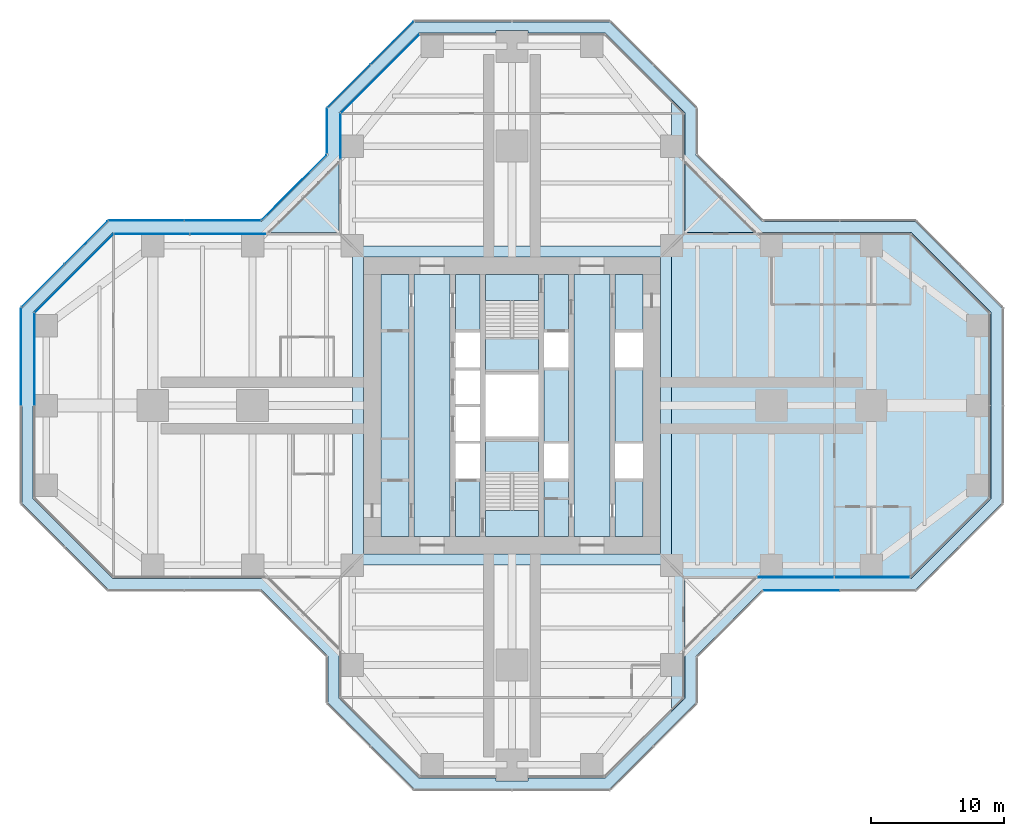
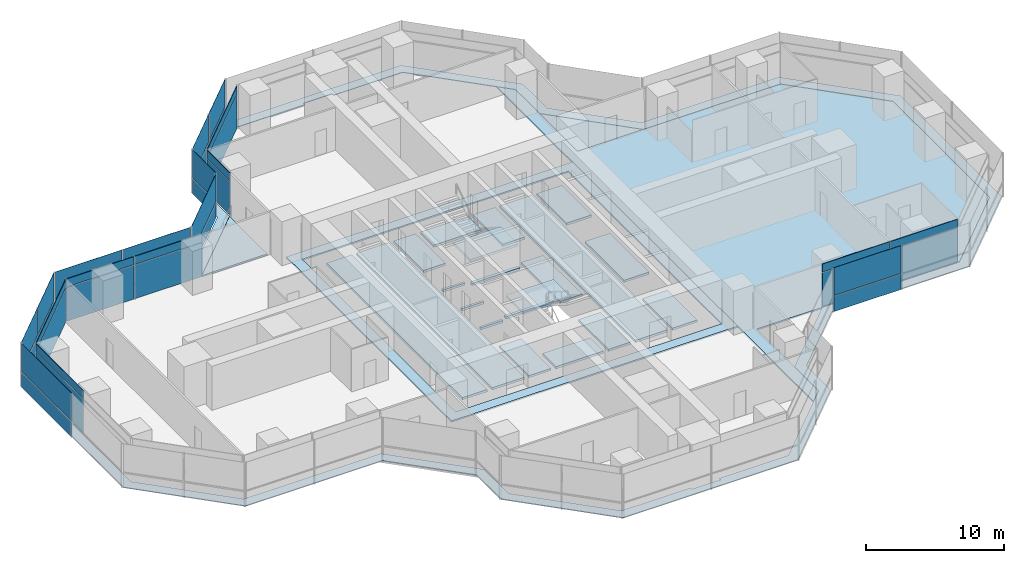
# One storey, part 13 of 19: 37 plates, 9 slabs, 15 elements without a shape of their own.
"""IFC4 building model written with IfcOpenShell, lengths in metres."""

from ifc_helpers import new_model, si_unit, direction, frame, origin, origin_2d, place, context, subcontext, project, spatial, polyline, rectangle, outline, extrude, material, layer, layer_set, type_object, element, aggregate, save


model = new_model("IFC4")

# Units and contexts
model_context = context("Model", 3, precision=1e-05, world=origin(), true_north=direction((0.0, 1.0)))
body_context = subcontext(model_context, "Body", "Model", "MODEL_VIEW")
ifc_project = project(units=[si_unit("LENGTHUNIT", "METRE"), si_unit("AREAUNIT", "SQUARE_METRE"), si_unit("VOLUMEUNIT", "CUBIC_METRE"), si_unit("PLANEANGLEUNIT", "RADIAN"), si_unit("MASSUNIT", "GRAM", prefix="KILO")], contexts=[model_context])

# Site, building, storey
site_placement = place(None, origin())
site = spatial("IfcSite", under=ifc_project, at=site_placement, CompositionType="ELEMENT")
building_placement = place(site_placement, origin())
building = spatial("IfcBuilding", under=site, at=building_placement, Name="Mizan Broadcast Tower", CompositionType="ELEMENT")
storey_placement = place(building_placement, frame((0.0, 0.0, 132.0)))
storey = spatial("IfcBuildingStorey", under=building, at=storey_placement, Name="L29", CompositionType="ELEMENT", Elevation=132.0)

# Plate
ifc_material_1 = material(Name="Aluminium grating", Category="aluminium")
ifc_layer_1 = layer(ifc_material_1, 0.050048828125)
ifc_layer_set_1 = layer_set([ifc_layer_1], Name="Aluminium grating")
plate_type_1 = type_object("IfcPlateType", Name="CAVITY GRATING", PredefinedType="USERDEFINED", material=ifc_layer_set_1)
plate_1_placement = place(storey_placement, frame((0.0, 0.0, -0.050048828125)))
element("IfcPlate", 1, at=plate_1_placement, inside=storey, type_object=plate_type_1, Name="Cavity grating L29", ObjectType="GRATING", PredefinedType="USERDEFINED", context=body_context, shape_type="SweptSolid", body=[
    extrude(outline(polyline([(13.820068359375, -18.839599609375), (18.839599609375, -13.820068359375), (30.339599609375, -13.820068359375), (36.820068359375, -7.339599609375), (36.820068359375, 7.339599609375), (30.339599609375, 13.820068359375), (18.839599609375, 13.820068359375), (13.820068359375, 18.839599609375), (13.820068359375, 22.339599609375), (7.339599609375, 28.820068359375), (-7.339599609375, 28.820068359375), (-13.820068359375, 22.339599609375), (-13.820068359375, 18.839599609375), (-18.839599609375, 13.820068359375), (-30.339599609375, 13.820068359375), (-36.820068359375, 7.339599609375), (-36.820068359375, -7.339599609375), (-30.339599609375, -13.820068359375), (-18.839599609375, -13.820068359375), (-13.820068359375, -18.839599609375), (-13.820068359375, -22.339599609375), (-7.339599609375, -28.820068359375), (7.339599609375, -28.820068359375), (13.820068359375, -22.339599609375), (13.820068359375, -18.839599609375)]), holes=[polyline([(36.0, 7.0), (36.0, -7.0), (30.0, -13.0), (18.5, -13.0), (13.0, -18.5), (13.0, -22.0), (7.0, -28.0), (1.199951171875, -28.0), (1.199951171875, -28.199951171875), (-1.199951171875, -28.199951171875), (-1.199951171875, -28.0), (-7.0, -28.0), (-13.0, -22.0), (-13.0, -18.5), (-18.5, -13.0), (-30.0, -13.0), (-36.0, -7.0), (-36.0, 7.0), (-30.0, 13.0), (-18.5, 13.0), (-13.0, 18.5), (-13.0, 22.0), (-7.0, 28.0), (-1.199951171875, 28.0), (-1.199951171875, 28.199951171875), (1.199951171875, 28.199951171875), (1.199951171875, 28.0), (7.0, 28.0), (13.0, 22.0), (13.0, 18.5), (18.5, 13.0), (30.0, 13.0), (36.0, 7.0)])]), origin(), (0.0, 0.0, 1.0), 0.050048828125),
])

# Slabs
ifc_material_2 = material(Name="Concrete C32/40", Category="concrete")
ifc_layer_2 = layer(ifc_material_2, 0.1298828125)
ifc_layer_set_2 = layer_set([ifc_layer_2], Name="Concrete C32/40")
slab_type_1 = type_object("IfcSlabType", Name="COMPOSITE DECK SLAB 130", PredefinedType="FLOOR", material=ifc_layer_set_2)
slab_1_placement = place(storey_placement, frame((0.0, 0.0, -0.1298828125)))
element("IfcSlab", 2, at=slab_1_placement, inside=storey, type_object=slab_type_1, Name="Floor slab L29 centre", PredefinedType="FLOOR", context=body_context, shape_type="SweptSolid", body=[
    extrude(outline(polyline([(-12.0, -12.0), (12.0, -12.0), (12.0, 12.0), (-12.0, 12.0), (-12.0, -12.0)]), holes=[polyline([(-11.14990234375, 11.14990234375), (11.14990234375, 11.14990234375), (11.14990234375, -11.14990234375), (-11.14990234375, -11.14990234375), (-11.14990234375, 11.14990234375)])]), origin(), (0.0, 0.0, 1.0), 0.1298828125),
])
slab_2_placement = place(storey_placement, frame((0.0, 0.0, -0.1298828125)))
element("IfcSlab", 3, at=slab_2_placement, inside=storey, type_object=slab_type_1, Name="Floor slab L29 east arm", PredefinedType="FLOOR", context=body_context, shape_type="SweptSolid", body=[
    extrude(outline(polyline([(12.0, -23.0), (13.0, -22.0), (13.0, -13.0), (30.0, -13.0), (36.0, -7.0), (36.0, 7.0), (30.0, 13.0), (13.0, 13.0), (13.0, 22.0), (12.0, 23.0), (12.0, -23.0)])), origin(), (0.0, 0.0, 1.0), 0.1298828125),
])
ifc_material_3 = material(Name="Concrete C40/50", Category="concrete")
ifc_layer_3 = layer(ifc_material_3, 0.199951171875)
ifc_layer_set_3 = layer_set([ifc_layer_3], Name="Concrete C40/50")
slab_type_2 = type_object("IfcSlabType", Name="CORE FLOOR 200", PredefinedType="FLOOR", material=ifc_layer_set_3)
slab_3_placement = place(storey_placement, frame((0.0, 0.0, -0.199951171875)))
element("IfcSlab", 4, at=slab_3_placement, inside=storey, type_object=slab_type_2, Name="Core floor L29", PredefinedType="FLOOR", context=body_context, shape_type="SweptSolid", body=[
    extrude(outline(polyline([(-9.85009765625, -9.85009765625), (-7.75, -9.85009765625), (-7.75, 9.85009765625), (-9.85009765625, 9.85009765625), (-9.85009765625, -9.85009765625)])), origin(), (0.0, 0.0, 1.0), 0.199951171875),
    extrude(outline(polyline([(-4.64990234375, 9.85009765625), (-7.35009765625, 9.85009765625), (-7.35009765625, -9.85009765625), (-4.64990234375, -9.85009765625), (-4.64990234375, 9.85009765625)])), origin(), (0.0, 0.0, 1.0), 0.199951171875),
    extrude(outline(polyline([(-4.25, -5.5), (-4.25, -9.85009765625), (-2.39990234375, -9.85009765625), (-2.39990234375, -5.5), (-4.25, -5.5)])), origin(), (0.0, 0.0, 1.0), 0.199951171875),
    extrude(outline(polyline([(-4.25, -2.85009765625), (-2.39990234375, -2.85009765625), (-2.39990234375, -2.64990234375), (-4.25, -2.64990234375), (-4.25, -2.85009765625)])), origin(), (0.0, 0.0, 1.0), 0.199951171875),
    extrude(outline(polyline([(-4.25, -0.10009765625), (-2.39990234375, -0.10009765625), (-2.39990234375, 0.10009765625), (-4.25, 0.10009765625), (-4.25, -0.10009765625)])), origin(), (0.0, 0.0, 1.0), 0.199951171875),
    extrude(outline(polyline([(-4.25, 2.64990234375), (-2.39990234375, 2.64990234375), (-2.39990234375, 2.85009765625), (-4.25, 2.85009765625), (-4.25, 2.64990234375)])), origin(), (0.0, 0.0, 1.0), 0.199951171875),
    extrude(outline(polyline([(-4.25, 5.5), (-2.39990234375, 5.5), (-2.39990234375, 9.85009765625), (-4.25, 9.85009765625), (-4.25, 5.5)])), origin(), (0.0, 0.0, 1.0), 0.199951171875),
    extrude(outline(polyline([(2.0, -2.324951171875), (-2.0, -2.324951171875), (-2.0, -2.574951171875), (2.0, -2.574951171875), (2.0, -2.324951171875)])), origin(), (0.0, 0.0, 1.0), 0.199951171875),
    extrude(outline(polyline([(2.0, 2.574951171875), (-2.0, 2.574951171875), (-2.0, 2.324951171875), (2.0, 2.324951171875), (2.0, 2.574951171875)])), origin(), (0.0, 0.0, 1.0), 0.199951171875),
    extrude(outline(polyline([(4.25, -9.85009765625), (4.25, -5.5), (2.39990234375, -5.5), (2.39990234375, -9.85009765625), (4.25, -9.85009765625)])), origin(), (0.0, 0.0, 1.0), 0.199951171875),
    extrude(outline(polyline([(4.25, -2.85009765625), (4.25, 2.85009765625), (2.39990234375, 2.85009765625), (2.39990234375, -2.85009765625), (4.25, -2.85009765625)])), origin(), (0.0, 0.0, 1.0), 0.199951171875),
    extrude(outline(polyline([(4.25, 5.5), (4.25, 9.85009765625), (2.39990234375, 9.85009765625), (2.39990234375, 5.5), (4.25, 5.5)])), origin(), (0.0, 0.0, 1.0), 0.199951171875),
    extrude(outline(polyline([(4.64990234375, 9.85009765625), (4.64990234375, -9.85009765625), (7.35009765625, -9.85009765625), (7.35009765625, 9.85009765625), (4.64990234375, 9.85009765625)])), origin(), (0.0, 0.0, 1.0), 0.199951171875),
    extrude(outline(polyline([(9.85009765625, -9.85009765625), (9.85009765625, -5.5), (7.75, -5.5), (7.75, -9.85009765625), (9.85009765625, -9.85009765625)])), origin(), (0.0, 0.0, 1.0), 0.199951171875),
    extrude(outline(polyline([(7.75, -2.85009765625), (9.85009765625, -2.85009765625), (9.85009765625, 2.85009765625), (7.75, 2.85009765625), (7.75, -2.85009765625)])), origin(), (0.0, 0.0, 1.0), 0.199951171875),
    extrude(outline(polyline([(9.85009765625, 5.5), (9.85009765625, 9.85009765625), (7.75, 9.85009765625), (7.75, 5.5), (9.85009765625, 5.5)])), origin(), (0.0, 0.0, 1.0), 0.199951171875),
])

# Curtain wall, plates
ifc_material_4 = material(Name="Aluminium framed glazing", Category="aluminium")
curtain_wall_type_1 = type_object("IfcCurtainWallType", Name="INNER SKIN MID ZONE", PredefinedType="USERDEFINED", material=ifc_material_4)
curtain_wall_1_placement = place(storey_placement, origin())
curtain_wall_1 = element("IfcCurtainWall", 5, at=curtain_wall_1_placement, inside=storey, type_object=curtain_wall_type_1, Name="Inner skin mid zone L29 E side", ObjectType="INNER SKIN MID ZONE", PredefinedType="USERDEFINED")
ifc_material_5 = material(Name="Double glazing, clear low-e", Category="glass")
ifc_layer_4 = layer(ifc_material_5, 0.028076171875)
ifc_layer_set_4 = layer_set([ifc_layer_4], Name="Double glazing, clear low-e")
plate_type_2 = type_object("IfcPlateType", Name="INNER SKIN GLAZING UNIT", PredefinedType="CURTAIN_PANEL", material=ifc_layer_set_4)
plate_2_placement = place(storey_placement, frame((21.379638671875, -12.89990234375, 0.0), z_axis=(0.0, 0.0, 1.0), x_axis=(1.0, 0.0, 0.0)))
plate_2 = element("IfcPlate", 6, at=plate_2_placement, type_object=plate_type_2, Name="Inner skin mid zone L29 E side panel 1.1", PredefinedType="CURTAIN_PANEL", context=body_context, shape_type="SweptSolid", body=[
    extrude(rectangle(XDim=5.639404296875, YDim=0.028076171875, at=origin_2d()), origin(), (0.0, 0.0, 1.0), 3.0),
])
plate_3_placement = place(storey_placement, frame((27.078857421875, -12.89990234375, 0.0), z_axis=(0.0, 0.0, 1.0), x_axis=(1.0, 0.0, 0.0)))
plate_3 = element("IfcPlate", 7, at=plate_3_placement, type_object=plate_type_2, Name="Inner skin mid zone L29 E side panel 2.1", PredefinedType="CURTAIN_PANEL", context=body_context, shape_type="SweptSolid", body=[
    extrude(rectangle(XDim=5.639404296875, YDim=0.028076171875, at=origin_2d()), origin(), (0.0, 0.0, 1.0), 3.0),
])

# Curtain wall, plate
curtain_wall_2_placement = place(storey_placement, origin())
curtain_wall_2 = element("IfcCurtainWall", 8, at=curtain_wall_2_placement, inside=storey, type_object=curtain_wall_type_1, Name="Inner skin mid zone L29 N chamfer", ObjectType="INNER SKIN MID ZONE", PredefinedType="USERDEFINED")
plate_4_placement = place(storey_placement, frame((-9.92919921875, 24.92919921875, 0.0), z_axis=(0.0, 0.0, 1.0), x_axis=(-0.707106781187, -0.707106781187, 0.0)))
plate_4 = element("IfcPlate", 9, at=plate_4_placement, type_object=plate_type_2, Name="Inner skin mid zone L29 N chamfer panel 1.1", PredefinedType="CURTAIN_PANEL", context=body_context, shape_type="SweptSolid", body=[
    extrude(rectangle(XDim=8.282470703125, YDim=0.028076171875, at=origin_2d()), origin(), (0.0, 0.0, 1.0), 3.0),
])

curtain_wall_3_placement = place(storey_placement, origin())
curtain_wall_3 = element("IfcCurtainWall", 10, at=curtain_wall_3_placement, inside=storey, type_object=curtain_wall_type_1, Name="Inner skin mid zone L29 N side", ObjectType="INNER SKIN MID ZONE", PredefinedType="USERDEFINED")
plate_5_placement = place(storey_placement, frame((-12.89990234375, 20.229248046875, 0.0), z_axis=(0.0, 0.0, 1.0), x_axis=(0.0, -1.0, 0.0)))
plate_5 = element("IfcPlate", 11, at=plate_5_placement, type_object=plate_type_2, Name="Inner skin mid zone L29 N side panel 1.1", PredefinedType="CURTAIN_PANEL", context=body_context, shape_type="SweptSolid", body=[
    extrude(rectangle(XDim=3.338623046875, YDim=0.028076171875, at=origin_2d()), origin(), (0.0, 0.0, 1.0), 3.0),
])

# Curtain wall, plates
curtain_wall_4_placement = place(storey_placement, origin())
curtain_wall_4 = element("IfcCurtainWall", 12, at=curtain_wall_4_placement, inside=storey, type_object=curtain_wall_type_1, Name="Inner skin mid zone L29 W side", ObjectType="INNER SKIN MID ZONE", PredefinedType="USERDEFINED")
plate_6_placement = place(storey_placement, frame((-21.379638671875, 12.89990234375, 0.0), z_axis=(0.0, 0.0, 1.0), x_axis=(-1.0, 0.0, 0.0)))
plate_6 = element("IfcPlate", 13, at=plate_6_placement, type_object=plate_type_2, Name="Inner skin mid zone L29 W side panel 1.1", PredefinedType="CURTAIN_PANEL", context=body_context, shape_type="SweptSolid", body=[
    extrude(rectangle(XDim=5.639404296875, YDim=0.028076171875, at=origin_2d()), origin(), (0.0, 0.0, 1.0), 3.0),
])
plate_7_placement = place(storey_placement, frame((-27.078857421875, 12.89990234375, 0.0), z_axis=(0.0, 0.0, 1.0), x_axis=(-1.0, 0.0, 0.0)))
plate_7 = element("IfcPlate", 14, at=plate_7_placement, type_object=plate_type_2, Name="Inner skin mid zone L29 W side panel 2.1", PredefinedType="CURTAIN_PANEL", context=body_context, shape_type="SweptSolid", body=[
    extrude(rectangle(XDim=5.639404296875, YDim=0.028076171875, at=origin_2d()), origin(), (0.0, 0.0, 1.0), 3.0),
])

# Curtain wall, plate
curtain_wall_5_placement = place(storey_placement, origin())
curtain_wall_5 = element("IfcCurtainWall", 15, at=curtain_wall_5_placement, inside=storey, type_object=curtain_wall_type_1, Name="Inner skin mid zone L29 W chamfer", ObjectType="INNER SKIN MID ZONE", PredefinedType="USERDEFINED")
plate_8_placement = place(storey_placement, frame((-32.92919921875, 9.92919921875, 0.0), z_axis=(0.0, 0.0, 1.0), x_axis=(-0.707106781187, -0.707106781187, 0.0)))
plate_8 = element("IfcPlate", 16, at=plate_8_placement, type_object=plate_type_2, Name="Inner skin mid zone L29 W chamfer panel 1.1", PredefinedType="CURTAIN_PANEL", context=body_context, shape_type="SweptSolid", body=[
    extrude(rectangle(XDim=8.282470703125, YDim=0.028076171875, at=origin_2d()), origin(), (0.0, 0.0, 1.0), 3.0),
])

curtain_wall_6_placement = place(storey_placement, origin())
curtain_wall_6 = element("IfcCurtainWall", 17, at=curtain_wall_6_placement, inside=storey, type_object=curtain_wall_type_1, Name="Inner skin mid zone L29 W end", ObjectType="INNER SKIN MID ZONE", PredefinedType="USERDEFINED")
plate_9_placement = place(storey_placement, frame((-35.89990234375, 3.46435546875, 0.0), z_axis=(0.0, 0.0, 1.0), x_axis=(0.0, -1.0, 0.0)))
plate_9 = element("IfcPlate", 18, at=plate_9_placement, type_object=plate_type_2, Name="Inner skin mid zone L29 W end panel 1.1", PredefinedType="CURTAIN_PANEL", context=body_context, shape_type="SweptSolid", body=[
    extrude(rectangle(XDim=6.86865234375, YDim=0.028076171875, at=origin_2d()), origin(), (0.0, 0.0, 1.0), 3.0),
])

# Plate
ifc_material_6 = material(Name="Insulated aluminium spandrel panel, pale anodised", Category="aluminium")
ifc_layer_5 = layer(ifc_material_6, 0.050048828125)
ifc_layer_set_5 = layer_set([ifc_layer_5], Name="Insulated aluminium spandrel panel, pale anodised")
plate_type_3 = type_object("IfcPlateType", Name="INNER SKIN SPANDREL PANEL", PredefinedType="CURTAIN_PANEL", material=ifc_layer_set_5)
plate_10_placement = place(storey_placement, frame((21.379638671875, -12.89990234375, 3.06005859375), z_axis=(0.0, 0.0, 1.0), x_axis=(1.0, 0.0, 0.0)))
plate_10 = element("IfcPlate", 19, at=plate_10_placement, type_object=plate_type_3, Name="Inner skin mid zone L29 E side panel 1.2", PredefinedType="CURTAIN_PANEL", context=body_context, shape_type="SweptSolid", body=[
    extrude(rectangle(XDim=5.639404296875, YDim=0.050048828125, at=origin_2d()), origin(), (0.0, 0.0, 1.0), 0.7099609375),
])

plate_11_placement = place(storey_placement, frame((27.078857421875, -12.89990234375, 3.06005859375), z_axis=(0.0, 0.0, 1.0), x_axis=(1.0, 0.0, 0.0)))
plate_11 = element("IfcPlate", 20, at=plate_11_placement, type_object=plate_type_3, Name="Inner skin mid zone L29 E side panel 2.2", PredefinedType="CURTAIN_PANEL", context=body_context, shape_type="SweptSolid", body=[
    extrude(rectangle(XDim=5.639404296875, YDim=0.050048828125, at=origin_2d()), origin(), (0.0, 0.0, 1.0), 0.7099609375),
])

aggregate(curtain_wall_1, [plate_2, plate_10, plate_3, plate_11])

plate_12_placement = place(storey_placement, frame((-9.92919921875, 24.92919921875, 3.06005859375), z_axis=(0.0, 0.0, 1.0), x_axis=(-0.707106781187, -0.707106781187, 0.0)))
plate_12 = element("IfcPlate", 21, at=plate_12_placement, type_object=plate_type_3, Name="Inner skin mid zone L29 N chamfer panel 1.2", PredefinedType="CURTAIN_PANEL", context=body_context, shape_type="SweptSolid", body=[
    extrude(rectangle(XDim=8.282470703125, YDim=0.050048828125, at=origin_2d()), origin(), (0.0, 0.0, 1.0), 0.7099609375),
])

aggregate(curtain_wall_2, [plate_4, plate_12])

plate_13_placement = place(storey_placement, frame((-12.89990234375, 20.229248046875, 3.06005859375), z_axis=(0.0, 0.0, 1.0), x_axis=(0.0, -1.0, 0.0)))
plate_13 = element("IfcPlate", 22, at=plate_13_placement, type_object=plate_type_3, Name="Inner skin mid zone L29 N side panel 1.2", PredefinedType="CURTAIN_PANEL", context=body_context, shape_type="SweptSolid", body=[
    extrude(rectangle(XDim=3.338623046875, YDim=0.050048828125, at=origin_2d()), origin(), (0.0, 0.0, 1.0), 0.7099609375),
])

aggregate(curtain_wall_3, [plate_5, plate_13])

plate_14_placement = place(storey_placement, frame((-21.379638671875, 12.89990234375, 3.06005859375), z_axis=(0.0, 0.0, 1.0), x_axis=(-1.0, 0.0, 0.0)))
plate_14 = element("IfcPlate", 23, at=plate_14_placement, type_object=plate_type_3, Name="Inner skin mid zone L29 W side panel 1.2", PredefinedType="CURTAIN_PANEL", context=body_context, shape_type="SweptSolid", body=[
    extrude(rectangle(XDim=5.639404296875, YDim=0.050048828125, at=origin_2d()), origin(), (0.0, 0.0, 1.0), 0.7099609375),
])

plate_15_placement = place(storey_placement, frame((-27.078857421875, 12.89990234375, 3.06005859375), z_axis=(0.0, 0.0, 1.0), x_axis=(-1.0, 0.0, 0.0)))
plate_15 = element("IfcPlate", 24, at=plate_15_placement, type_object=plate_type_3, Name="Inner skin mid zone L29 W side panel 2.2", PredefinedType="CURTAIN_PANEL", context=body_context, shape_type="SweptSolid", body=[
    extrude(rectangle(XDim=5.639404296875, YDim=0.050048828125, at=origin_2d()), origin(), (0.0, 0.0, 1.0), 0.7099609375),
])

aggregate(curtain_wall_4, [plate_6, plate_14, plate_7, plate_15])

plate_16_placement = place(storey_placement, frame((-32.92919921875, 9.92919921875, 3.06005859375), z_axis=(0.0, 0.0, 1.0), x_axis=(-0.707106781187, -0.707106781187, 0.0)))
plate_16 = element("IfcPlate", 25, at=plate_16_placement, type_object=plate_type_3, Name="Inner skin mid zone L29 W chamfer panel 1.2", PredefinedType="CURTAIN_PANEL", context=body_context, shape_type="SweptSolid", body=[
    extrude(rectangle(XDim=8.282470703125, YDim=0.050048828125, at=origin_2d()), origin(), (0.0, 0.0, 1.0), 0.7099609375),
])

aggregate(curtain_wall_5, [plate_8, plate_16])

plate_17_placement = place(storey_placement, frame((-35.89990234375, 3.46435546875, 3.06005859375), z_axis=(0.0, 0.0, 1.0), x_axis=(0.0, -1.0, 0.0)))
plate_17 = element("IfcPlate", 26, at=plate_17_placement, type_object=plate_type_3, Name="Inner skin mid zone L29 W end panel 1.2", PredefinedType="CURTAIN_PANEL", context=body_context, shape_type="SweptSolid", body=[
    extrude(rectangle(XDim=6.86865234375, YDim=0.050048828125, at=origin_2d()), origin(), (0.0, 0.0, 1.0), 0.7099609375),
])

aggregate(curtain_wall_6, [plate_9, plate_17])

# Curtain wall, plates
ifc_material_7 = material(Name="Aluminium framed glazing", Category="aluminium")
curtain_wall_type_2 = type_object("IfcCurtainWallType", Name="OUTER SKIN", PredefinedType="USERDEFINED", material=ifc_material_7)
curtain_wall_7_placement = place(storey_placement, origin())
curtain_wall_7 = element("IfcCurtainWall", 27, at=curtain_wall_7_placement, inside=storey, type_object=curtain_wall_type_2, Name="Outer skin L29 N chamfer", ObjectType="OUTER SKIN", PredefinedType="USERDEFINED")
ifc_material_8 = material(Name="Laminated clear glass", Category="glass")
ifc_layer_6 = layer(ifc_material_8, 0.02001953125)
ifc_layer_set_6 = layer_set([ifc_layer_6], Name="Laminated clear glass")
plate_type_4 = type_object("IfcPlateType", Name="OUTER SKIN CLEAR GLASS", PredefinedType="CURTAIN_PANEL", material=ifc_layer_set_6)
plate_18_placement = place(storey_placement, frame((-9.018798828125, 27.254150390625, 0.0), z_axis=(0.0, 0.0, 1.0), x_axis=(-0.707106781187, -0.707106781187, 0.0)))
plate_18 = element("IfcPlate", 28, at=plate_18_placement, type_object=plate_type_4, Name="Outer skin L29 N chamfer panel 1.1", PredefinedType="CURTAIN_PANEL", context=body_context, shape_type="SweptSolid", body=[
    extrude(rectangle(XDim=4.495361328125, YDim=0.02001953125, at=origin_2d()), origin(), (0.0, 0.0, 1.0), 1.3701171875),
])
plate_19_placement = place(storey_placement, frame((-9.018798828125, 27.254150390625, 1.43017578125), z_axis=(0.0, 0.0, 1.0), x_axis=(-0.707106781187, -0.707106781187, 0.0)))
plate_19 = element("IfcPlate", 29, at=plate_19_placement, type_object=plate_type_4, Name="Outer skin L29 N chamfer panel 1.2", PredefinedType="CURTAIN_PANEL", context=body_context, shape_type="SweptSolid", body=[
    extrude(rectangle(XDim=4.495361328125, YDim=0.02001953125, at=origin_2d()), origin(), (0.0, 0.0, 1.0), 2.469970703125),
])

curtain_wall_8_placement = place(storey_placement, origin())
curtain_wall_8 = element("IfcCurtainWall", 30, at=curtain_wall_8_placement, inside=storey, type_object=curtain_wall_type_2, Name="Outer skin L29 N side", ObjectType="OUTER SKIN", PredefinedType="USERDEFINED")
plate_20_placement = place(storey_placement, frame((-13.89990234375, 20.622802734375, 0.0), z_axis=(0.0, 0.0, 1.0), x_axis=(0.0, -1.0, 0.0)))
plate_20 = element("IfcPlate", 31, at=plate_20_placement, type_object=plate_type_4, Name="Outer skin L29 N side panel 1.1", PredefinedType="CURTAIN_PANEL", context=body_context, shape_type="SweptSolid", body=[
    extrude(rectangle(XDim=3.340087890625, YDim=0.02001953125, at=origin_2d()), origin(), (0.0, 0.0, 1.0), 1.3701171875),
])
plate_21_placement = place(storey_placement, frame((-13.89990234375, 20.622802734375, 1.43017578125), z_axis=(0.0, 0.0, 1.0), x_axis=(0.0, -1.0, 0.0)))
plate_21 = element("IfcPlate", 32, at=plate_21_placement, type_object=plate_type_4, Name="Outer skin L29 N side panel 1.2", PredefinedType="CURTAIN_PANEL", context=body_context, shape_type="SweptSolid", body=[
    extrude(rectangle(XDim=3.340087890625, YDim=0.02001953125, at=origin_2d()), origin(), (0.0, 0.0, 1.0), 2.469970703125),
])
aggregate(curtain_wall_8, [plate_20, plate_21])

curtain_wall_9_placement = place(storey_placement, origin())
curtain_wall_9 = element("IfcCurtainWall", 33, at=curtain_wall_9_placement, inside=storey, type_object=curtain_wall_type_2, Name="Outer skin L29 W chamfer", ObjectType="OUTER SKIN", PredefinedType="USERDEFINED")
plate_22_placement = place(storey_placement, frame((-16.386474609375, 16.386474609375, 0.0), z_axis=(0.0, 0.0, 1.0), x_axis=(-0.707106781187, -0.707106781187, 0.0)))
plate_22 = element("IfcPlate", 34, at=plate_22_placement, type_object=plate_type_4, Name="Outer skin L29 W chamfer panel 1.1", PredefinedType="CURTAIN_PANEL", context=body_context, shape_type="SweptSolid", body=[
    extrude(rectangle(XDim=6.87255859375, YDim=0.02001953125, at=origin_2d()), origin(), (0.0, 0.0, 1.0), 1.3701171875),
])
plate_23_placement = place(storey_placement, frame((-16.386474609375, 16.386474609375, 1.43017578125), z_axis=(0.0, 0.0, 1.0), x_axis=(-0.707106781187, -0.707106781187, 0.0)))
plate_23 = element("IfcPlate", 35, at=plate_23_placement, type_object=plate_type_4, Name="Outer skin L29 W chamfer panel 1.2", PredefinedType="CURTAIN_PANEL", context=body_context, shape_type="SweptSolid", body=[
    extrude(rectangle(XDim=6.87255859375, YDim=0.02001953125, at=origin_2d()), origin(), (0.0, 0.0, 1.0), 2.469970703125),
])
aggregate(curtain_wall_9, [plate_22, plate_23])

curtain_wall_10_placement = place(storey_placement, origin())
curtain_wall_10 = element("IfcCurtainWall", 36, at=curtain_wall_10_placement, inside=storey, type_object=curtain_wall_type_2, Name="Outer skin L29 W side", ObjectType="OUTER SKIN", PredefinedType="USERDEFINED")
plate_24_placement = place(storey_placement, frame((-21.767822265625, 13.89990234375, 0.0), z_axis=(0.0, 0.0, 1.0), x_axis=(-1.0, 0.0, 0.0)))
plate_24 = element("IfcPlate", 37, at=plate_24_placement, type_object=plate_type_4, Name="Outer skin L29 W side panel 1.1", PredefinedType="CURTAIN_PANEL", context=body_context, shape_type="SweptSolid", body=[
    extrude(rectangle(XDim=5.6298828125, YDim=0.02001953125, at=origin_2d()), origin(), (0.0, 0.0, 1.0), 1.3701171875),
])
plate_25_placement = place(storey_placement, frame((-21.767822265625, 13.89990234375, 1.43017578125), z_axis=(0.0, 0.0, 1.0), x_axis=(-1.0, 0.0, 0.0)))
plate_25 = element("IfcPlate", 38, at=plate_25_placement, type_object=plate_type_4, Name="Outer skin L29 W side panel 1.2", PredefinedType="CURTAIN_PANEL", context=body_context, shape_type="SweptSolid", body=[
    extrude(rectangle(XDim=5.6298828125, YDim=0.02001953125, at=origin_2d()), origin(), (0.0, 0.0, 1.0), 2.469970703125),
])
plate_26_placement = place(storey_placement, frame((-27.477783203125, 13.89990234375, 0.0), z_axis=(0.0, 0.0, 1.0), x_axis=(-1.0, 0.0, 0.0)))
plate_26 = element("IfcPlate", 39, at=plate_26_placement, type_object=plate_type_4, Name="Outer skin L29 W side panel 2.1", PredefinedType="CURTAIN_PANEL", context=body_context, shape_type="SweptSolid", body=[
    extrude(rectangle(XDim=5.6298828125, YDim=0.02001953125, at=origin_2d()), origin(), (0.0, 0.0, 1.0), 1.3701171875),
])
plate_27_placement = place(storey_placement, frame((-27.477783203125, 13.89990234375, 1.43017578125), z_axis=(0.0, 0.0, 1.0), x_axis=(-1.0, 0.0, 0.0)))
plate_27 = element("IfcPlate", 40, at=plate_27_placement, type_object=plate_type_4, Name="Outer skin L29 W side panel 2.2", PredefinedType="CURTAIN_PANEL", context=body_context, shape_type="SweptSolid", body=[
    extrude(rectangle(XDim=5.6298828125, YDim=0.02001953125, at=origin_2d()), origin(), (0.0, 0.0, 1.0), 2.469970703125),
])
aggregate(curtain_wall_10, [plate_24, plate_25, plate_26, plate_27])

curtain_wall_11_placement = place(storey_placement, origin())
curtain_wall_11 = element("IfcCurtainWall", 41, at=curtain_wall_11_placement, inside=storey, type_object=curtain_wall_type_2, Name="Outer skin L29 W chamfer", ObjectType="OUTER SKIN", PredefinedType="USERDEFINED")
plate_28_placement = place(storey_placement, frame((-32.018798828125, 12.254150390625, 0.0), z_axis=(0.0, 0.0, 1.0), x_axis=(-0.707106781187, -0.707106781187, 0.0)))
plate_28 = element("IfcPlate", 42, at=plate_28_placement, type_object=plate_type_4, Name="Outer skin L29 W chamfer panel 1.1", PredefinedType="CURTAIN_PANEL", context=body_context, shape_type="SweptSolid", body=[
    extrude(rectangle(XDim=4.495361328125, YDim=0.02001953125, at=origin_2d()), origin(), (0.0, 0.0, 1.0), 1.3701171875),
])
plate_29_placement = place(storey_placement, frame((-32.018798828125, 12.254150390625, 1.43017578125), z_axis=(0.0, 0.0, 1.0), x_axis=(-0.707106781187, -0.707106781187, 0.0)))
plate_29 = element("IfcPlate", 43, at=plate_29_placement, type_object=plate_type_4, Name="Outer skin L29 W chamfer panel 1.2", PredefinedType="CURTAIN_PANEL", context=body_context, shape_type="SweptSolid", body=[
    extrude(rectangle(XDim=4.495361328125, YDim=0.02001953125, at=origin_2d()), origin(), (0.0, 0.0, 1.0), 2.469970703125),
])

curtain_wall_12_placement = place(storey_placement, origin())
curtain_wall_12 = element("IfcCurtainWall", 44, at=curtain_wall_12_placement, inside=storey, type_object=curtain_wall_type_2, Name="Outer skin L29 W end", ObjectType="OUTER SKIN", PredefinedType="USERDEFINED")
plate_30_placement = place(storey_placement, frame((-36.89990234375, 3.66650390625, 0.0), z_axis=(0.0, 0.0, 1.0), x_axis=(0.0, -1.0, 0.0)))
plate_30 = element("IfcPlate", 45, at=plate_30_placement, type_object=plate_type_4, Name="Outer skin L29 W end panel 1.1", PredefinedType="CURTAIN_PANEL", context=body_context, shape_type="SweptSolid", body=[
    extrude(rectangle(XDim=7.252685546875, YDim=0.02001953125, at=origin_2d()), origin(), (0.0, 0.0, 1.0), 1.3701171875),
])
plate_31_placement = place(storey_placement, frame((-36.89990234375, 3.66650390625, 1.43017578125), z_axis=(0.0, 0.0, 1.0), x_axis=(0.0, -1.0, 0.0)))
plate_31 = element("IfcPlate", 46, at=plate_31_placement, type_object=plate_type_4, Name="Outer skin L29 W end panel 1.2", PredefinedType="CURTAIN_PANEL", context=body_context, shape_type="SweptSolid", body=[
    extrude(rectangle(XDim=7.252685546875, YDim=0.02001953125, at=origin_2d()), origin(), (0.0, 0.0, 1.0), 2.469970703125),
])
aggregate(curtain_wall_12, [plate_30, plate_31])

curtain_wall_13_placement = place(storey_placement, origin())
curtain_wall_13 = element("IfcCurtainWall", 47, at=curtain_wall_13_placement, inside=storey, type_object=curtain_wall_type_2, Name="Outer skin L29 E side", ObjectType="OUTER SKIN", PredefinedType="USERDEFINED")
plate_32_placement = place(storey_placement, frame((21.767822265625, -13.89990234375, 0.0), z_axis=(0.0, 0.0, 1.0), x_axis=(1.0, 0.0, 0.0)))
plate_32 = element("IfcPlate", 48, at=plate_32_placement, type_object=plate_type_4, Name="Outer skin L29 E side panel 1.1", PredefinedType="CURTAIN_PANEL", context=body_context, shape_type="SweptSolid", body=[
    extrude(rectangle(XDim=5.6298828125, YDim=0.02001953125, at=origin_2d()), origin(), (0.0, 0.0, 1.0), 1.3701171875),
])
plate_33_placement = place(storey_placement, frame((21.767822265625, -13.89990234375, 1.43017578125), z_axis=(0.0, 0.0, 1.0), x_axis=(1.0, 0.0, 0.0)))
plate_33 = element("IfcPlate", 49, at=plate_33_placement, type_object=plate_type_4, Name="Outer skin L29 E side panel 1.2", PredefinedType="CURTAIN_PANEL", context=body_context, shape_type="SweptSolid", body=[
    extrude(rectangle(XDim=5.6298828125, YDim=0.02001953125, at=origin_2d()), origin(), (0.0, 0.0, 1.0), 2.469970703125),
])
aggregate(curtain_wall_13, [plate_32, plate_33])

# Plate
ifc_material_9 = material(Name="Perforated aluminium, pale anodised", Category="aluminium")
ifc_layer_7 = layer(ifc_material_9, 0.011962890625)
ifc_layer_set_7 = layer_set([ifc_layer_7], Name="Perforated aluminium, pale anodised")
plate_type_5 = type_object("IfcPlateType", Name="OUTER SKIN PERFORATED SCREEN", PredefinedType="USERDEFINED", material=ifc_layer_set_7)
plate_34_placement = place(storey_placement, frame((-12.254150390625, 24.018798828125, 0.0), z_axis=(0.0, 0.0, 1.0), x_axis=(-0.707106781187, -0.707106781187, 0.0)))
plate_34 = element("IfcPlate", 50, at=plate_34_placement, type_object=plate_type_5, Name="Outer skin L29 N chamfer panel 2.1", ObjectType="SCREEN", PredefinedType="USERDEFINED", context=body_context, shape_type="SweptSolid", body=[
    extrude(rectangle(XDim=4.495361328125, YDim=0.011962890625, at=origin_2d()), origin(), (0.0, 0.0, 1.0), 1.3701171875),
])

plate_35_placement = place(storey_placement, frame((-12.254150390625, 24.018798828125, 1.43017578125), z_axis=(0.0, 0.0, 1.0), x_axis=(-0.707106781187, -0.707106781187, 0.0)))
plate_35 = element("IfcPlate", 51, at=plate_35_placement, type_object=plate_type_5, Name="Outer skin L29 N chamfer panel 2.2", ObjectType="SCREEN", PredefinedType="USERDEFINED", context=body_context, shape_type="SweptSolid", body=[
    extrude(rectangle(XDim=4.495361328125, YDim=0.011962890625, at=origin_2d()), origin(), (0.0, 0.0, 1.0), 2.469970703125),
])

aggregate(curtain_wall_7, [plate_18, plate_19, plate_34, plate_35])

plate_36_placement = place(storey_placement, frame((-35.254150390625, 9.018798828125, 0.0), z_axis=(0.0, 0.0, 1.0), x_axis=(-0.707106781187, -0.707106781187, 0.0)))
plate_36 = element("IfcPlate", 52, at=plate_36_placement, type_object=plate_type_5, Name="Outer skin L29 W chamfer panel 2.1", ObjectType="SCREEN", PredefinedType="USERDEFINED", context=body_context, shape_type="SweptSolid", body=[
    extrude(rectangle(XDim=4.495361328125, YDim=0.011962890625, at=origin_2d()), origin(), (0.0, 0.0, 1.0), 1.3701171875),
])

plate_37_placement = place(storey_placement, frame((-35.254150390625, 9.018798828125, 1.43017578125), z_axis=(0.0, 0.0, 1.0), x_axis=(-0.707106781187, -0.707106781187, 0.0)))
plate_37 = element("IfcPlate", 53, at=plate_37_placement, type_object=plate_type_5, Name="Outer skin L29 W chamfer panel 2.2", ObjectType="SCREEN", PredefinedType="USERDEFINED", context=body_context, shape_type="SweptSolid", body=[
    extrude(rectangle(XDim=4.495361328125, YDim=0.011962890625, at=origin_2d()), origin(), (0.0, 0.0, 1.0), 2.469970703125),
])

aggregate(curtain_wall_11, [plate_28, plate_29, plate_36, plate_37])

# Stair, slabs
ifc_material_10 = material(Name="Concrete C40/50", Category="concrete")
stair_type = type_object("IfcStairType", Name="EXIT STAIR", PredefinedType="HALF_TURN_STAIR", material=ifc_material_10)
stair_1_placement = place(storey_placement, origin())
stair_1 = element("IfcStair", 54, at=stair_1_placement, inside=storey, type_object=stair_type, Name="Stair A L29", PredefinedType="HALF_TURN_STAIR")
ifc_material_11 = material(Name="Concrete C40/50", Category="concrete")
ifc_layer_8 = layer(ifc_material_11, 0.199951171875)
ifc_layer_set_8 = layer_set([ifc_layer_8], Name="Concrete C40/50")
slab_type_3 = type_object("IfcSlabType", Name="STAIR LANDING 200", PredefinedType="LANDING", material=ifc_layer_set_8)
slab_4_placement = place(storey_placement, frame((0.0, 0.0, -0.199951171875)))
slab_4 = element("IfcSlab", 55, at=slab_4_placement, type_object=slab_type_3, Name="A landing 1", PredefinedType="LANDING", context=body_context, shape_type="SweptSolid", body=[
    extrude(outline(polyline([(-2.0, -9.85009765625), (-2.0, -7.89990234375), (2.0, -7.89990234375), (2.0, -9.85009765625), (-2.0, -9.85009765625)])), origin(), (0.0, 0.0, 1.0), 0.199951171875),
])
slab_5_placement = place(storey_placement, frame((0.0, 0.0, 1.75)))
slab_5 = element("IfcSlab", 56, at=slab_5_placement, type_object=slab_type_3, Name="A landing 2", PredefinedType="LANDING", context=body_context, shape_type="SweptSolid", body=[
    extrude(outline(polyline([(-2.0, -5.10009765625), (-2.0, -2.574951171875), (2.0, -2.574951171875), (2.0, -5.10009765625), (-2.0, -5.10009765625)])), origin(), (0.0, 0.0, 1.0), 0.199951171875),
])
aggregate(stair_1, [slab_4, slab_5])

stair_2_placement = place(storey_placement, origin())
stair_2 = element("IfcStair", 57, at=stair_2_placement, inside=storey, type_object=stair_type, Name="Stair B L29", PredefinedType="HALF_TURN_STAIR")
slab_6_placement = place(storey_placement, frame((0.0, 0.0, -0.199951171875)))
slab_6 = element("IfcSlab", 58, at=slab_6_placement, type_object=slab_type_3, Name="B landing 1", PredefinedType="LANDING", context=body_context, shape_type="SweptSolid", body=[
    extrude(outline(polyline([(2.0, 9.85009765625), (2.0, 7.89990234375), (-2.0, 7.89990234375), (-2.0, 9.85009765625), (2.0, 9.85009765625)])), origin(), (0.0, 0.0, 1.0), 0.199951171875),
])
slab_7_placement = place(storey_placement, frame((0.0, 0.0, 1.75)))
slab_7 = element("IfcSlab", 59, at=slab_7_placement, type_object=slab_type_3, Name="B landing 2", PredefinedType="LANDING", context=body_context, shape_type="SweptSolid", body=[
    extrude(outline(polyline([(2.0, 5.10009765625), (2.0, 2.574951171875), (-2.0, 2.574951171875), (-2.0, 5.10009765625), (2.0, 5.10009765625)])), origin(), (0.0, 0.0, 1.0), 0.199951171875),
])
aggregate(stair_2, [slab_6, slab_7])

# Slabs
ifc_material_12 = material(Name="Concrete C32/40", Category="concrete")
ifc_layer_9 = layer(ifc_material_12, 0.1298828125)
ifc_layer_set_9 = layer_set([ifc_layer_9], Name="Concrete C32/40")
slab_type_4 = type_object("IfcSlabType", Name="WINTER GARDEN SLAB 130", PredefinedType="FLOOR", material=ifc_layer_set_9)
slab_8_placement = place(storey_placement, frame((0.0, 0.0, -0.1298828125)))
element("IfcSlab", 60, at=slab_8_placement, inside=storey, type_object=slab_type_4, Name="Winter garden slab L29 E", PredefinedType="FLOOR", context=body_context, shape_type="SweptSolid", body=[
    extrude(outline(polyline([(13.0, 13.0), (18.5, 13.0), (13.0, 18.5), (13.0, 13.0)])), origin(), (0.0, 0.0, 1.0), 0.1298828125),
])
slab_9_placement = place(storey_placement, frame((0.0, 0.0, -0.1298828125)))
element("IfcSlab", 61, at=slab_9_placement, inside=storey, type_object=slab_type_4, Name="Winter garden slab L29 N", PredefinedType="FLOOR", context=body_context, shape_type="SweptSolid", body=[
    extrude(outline(polyline([(-13.0, 13.0), (-13.0, 18.5), (-18.5, 13.0), (-13.0, 13.0)])), origin(), (0.0, 0.0, 1.0), 0.1298828125),
])

save(model, "model.ifc")
